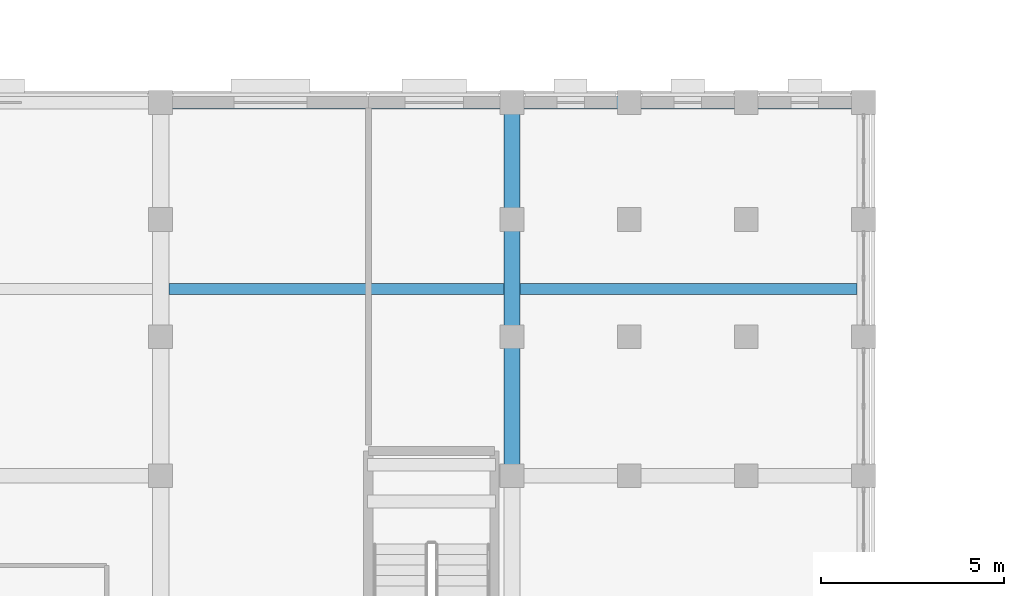
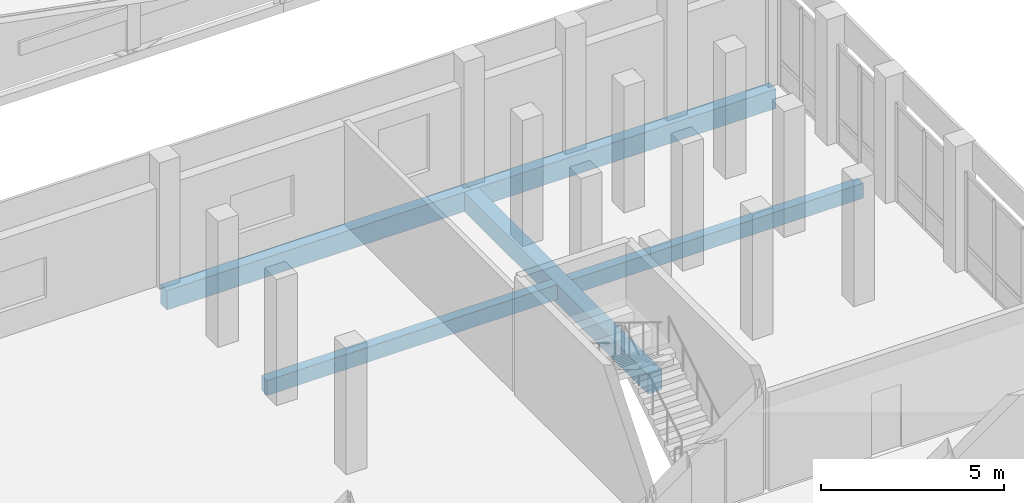
# One storey, part 26 of 200: 5 beams.
"""IFC4 building model written with IfcOpenShell, lengths in metres."""

from ifc_helpers import new_model, si_unit, direction, frame, origin, origin_2d, place, context, subcontext, project, spatial, rectangle, extrude, material, material_profile, profile_set, type_object, element, save


model = new_model("IFC4")

# Units and contexts
model_context = context("Model", 3, precision=1e-05, world=origin(), true_north=direction((0.0, 1.0)))
body_context = subcontext(model_context, "Body", "Model", "MODEL_VIEW")
ifc_project = project(units=[si_unit("LENGTHUNIT", "METRE"), si_unit("AREAUNIT", "SQUARE_METRE"), si_unit("VOLUMEUNIT", "CUBIC_METRE"), si_unit("PLANEANGLEUNIT", "RADIAN"), si_unit("MASSUNIT", "GRAM", prefix="KILO")], contexts=[model_context])

# Site, building, storey
site_placement = place(None, origin())
site = spatial("IfcSite", under=ifc_project, at=site_placement, CompositionType="ELEMENT")
building_placement = place(site_placement, origin())
building = spatial("IfcBuilding", under=site, at=building_placement, Name="Vondelvale Polytechnic", CompositionType="ELEMENT")
storey_placement = place(building_placement, frame((0.0, 0.0, 13.800048828125)))
storey = spatial("IfcBuildingStorey", under=building, at=storey_placement, Name="L03", CompositionType="ELEMENT", Elevation=13.800048828125)

# Beams
ifc_material_1 = material(Name="Concrete N40 (f'c = 40 MPa)", Category="concrete")
ifc_material_profile_1 = material_profile(ifc_material_1, rectangle(XDim=0.449951171875, YDim=0.64990234375, at=origin_2d()), Name="RC-BM-450x650")
ifc_profile_set_1 = profile_set([ifc_material_profile_1], Name="Concrete N40 (f'c = 40 MPa)")
beam_type_1 = type_object("IfcBeamType", Name="BM-RC450x650", PredefinedType="BEAM", material=ifc_profile_set_1)
beam_1_placement = place(storey_placement, frame((38.39990234375, 30.60009765625, -0.574951171875), z_axis=(0.0, 1.0, 0.0), x_axis=(-1.0, 0.0, 0.0)))
element("IfcBeam", 1, at=beam_1_placement, inside=storey, type_object=beam_type_1, Name="L03 B B-04", PredefinedType="BEAM", context=body_context, shape_type="SweptSolid", body=[
    extrude(rectangle(XDim=0.449951171875, YDim=0.64990234375, at=origin_2d()), origin(), (0.0, 0.0, 1.0), 10.199951171875),
])
ifc_material_profile_2 = material_profile(ifc_material_1, rectangle(XDim=0.300048828125, YDim=0.5, at=origin_2d()), Name="RC-JST-300x500")
ifc_profile_set_2 = profile_set([ifc_material_profile_2], Name="Concrete N40 (f'c = 40 MPa)")
beam_type_2 = type_object("IfcBeamType", Name="JST-RC300x500", PredefinedType="JOIST", material=ifc_profile_set_2)
beam_2_placement = place(storey_placement, frame((29.02490234375, 35.699951171875, -0.5), z_axis=(1.0, 0.0, 0.0), x_axis=(0.0, 1.0, 0.0)))
element("IfcBeam", 2, at=beam_2_placement, inside=storey, type_object=beam_type_2, Name="L03 J J-02", PredefinedType="JOIST", context=body_context, shape_type="SweptSolid", body=[
    extrude(rectangle(XDim=0.300048828125, YDim=0.5, at=origin_2d()), origin(), (0.0, 0.0, 1.0), 9.150146484375),
])
beam_3_placement = place(storey_placement, frame((38.625, 35.699951171875, -0.5), z_axis=(1.0, 0.0, 0.0), x_axis=(0.0, 1.0, 0.0)))
element("IfcBeam", 3, at=beam_3_placement, inside=storey, type_object=beam_type_2, Name="L03 J J-02", PredefinedType="JOIST", context=body_context, shape_type="SweptSolid", body=[
    extrude(rectangle(XDim=0.300048828125, YDim=0.5, at=origin_2d()), origin(), (0.0, 0.0, 1.0), 9.199951171875),
])
ifc_material_2 = material(Name="Precast concrete N40 (f'c = 40 MPa)", Category="concrete")
ifc_material_profile_3 = material_profile(ifc_material_2, rectangle(XDim=0.35009765625, YDim=0.64990234375, at=origin_2d()), Name="RC-SPN-350x650")
ifc_profile_set_3 = profile_set([ifc_material_profile_3], Name="Precast concrete N40 (f'c = 40 MPa)")
beam_type_3 = type_object("IfcBeamType", Name="SPN-PRE350x650", PredefinedType="SPANDREL", material=ifc_profile_set_3)
beam_4_placement = place(storey_placement, frame((28.800048828125, 40.800048828125, -0.574951171875), z_axis=(1.0, 0.0, 0.0), x_axis=(0.0, 1.0, 0.0)))
element("IfcBeam", 4, at=beam_4_placement, inside=storey, type_object=beam_type_3, Name="L03 B SP-02", PredefinedType="SPANDREL", context=body_context, shape_type="SweptSolid", body=[
    extrude(rectangle(XDim=0.35009765625, YDim=0.64990234375, at=origin_2d()), origin(), (0.0, 0.0, 1.0), 9.599853515625),
])
beam_5_placement = place(storey_placement, frame((38.39990234375, 40.800048828125, -0.574951171875), z_axis=(1.0, 0.0, 0.0), x_axis=(0.0, 1.0, 0.0)))
element("IfcBeam", 5, at=beam_5_placement, inside=storey, type_object=beam_type_3, Name="L03 B SP-02", PredefinedType="SPANDREL", context=body_context, shape_type="SweptSolid", body=[
    extrude(rectangle(XDim=0.35009765625, YDim=0.64990234375, at=origin_2d()), origin(), (0.0, 0.0, 1.0), 9.60009765625),
])

save(model, "model.ifc")
